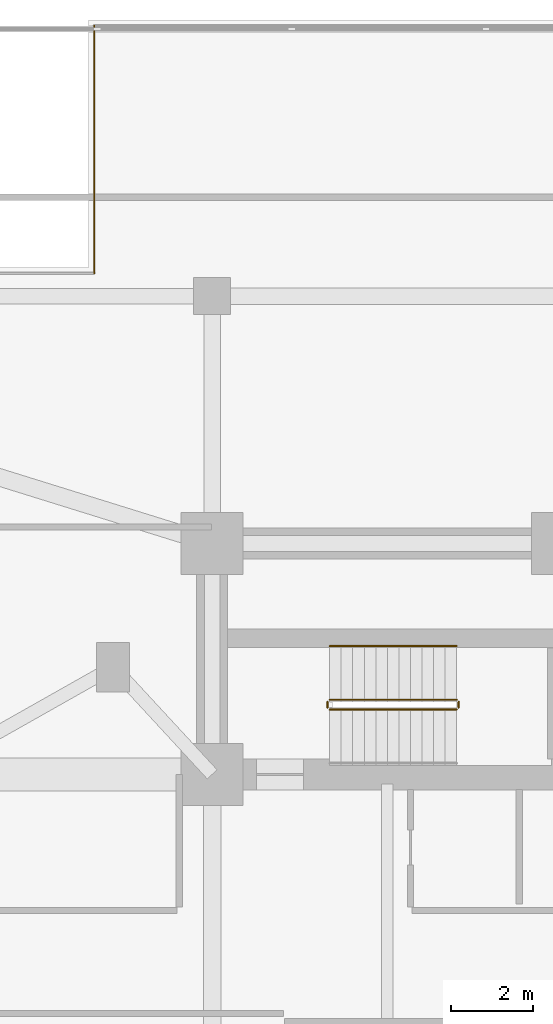
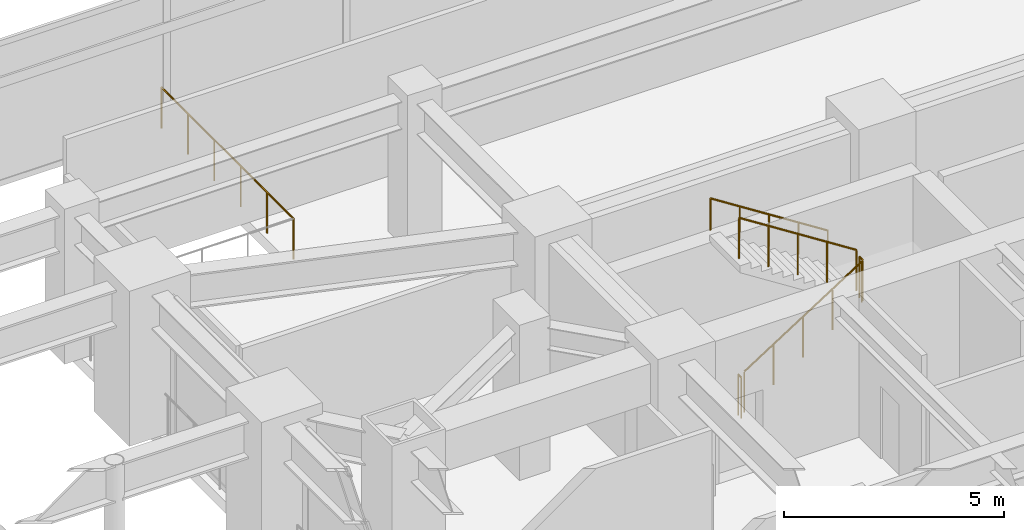
# One storey, part 29 of 30: 6 railings.
"""IFC4 building model written with IfcOpenShell, lengths in metres."""

import ifcopenshell
import ifcopenshell.guid

model = None  # the IFC model being written
_history = None  # IfcOwnerHistory: only IFC2X3 demands one
_inside = {}  # id of a spatial element -> (the spatial element, [elements in it])
_under = {}  # id of a project, library or spatial element -> (it, [spatial elements below it])
_declared = {}  # id of a project -> (the project, [libraries it declares])
_typed = {}  # id of a type object -> (the type object, [elements of that type])
_made_of = {}  # id of a material, layer set ... -> (it, [elements and type objects made of it])


def new_model(schema):
    """Start an empty IFC model of exactly this schema.

    Asked for "IFC4X3", IfcOpenShell would pick the latest addendum, in which some entities
    have other attributes; the version numbers below select the first issue.
    IFC2X3 requires an IfcOwnerHistory on every rooted entity: one is made here for all.
    """
    global model, _history
    if schema == "IFC4X3":
        model = ifcopenshell.file(schema_version=(4, 3, 0, 0))
    else:
        model = ifcopenshell.file(schema=schema)
    _inside.clear()
    _under.clear()
    _declared.clear()
    _typed.clear()
    _made_of.clear()
    _history = None
    if model.schema == "IFC2X3":
        org = make("IfcOrganization", Name="unknown")
        user = make(
            "IfcPersonAndOrganization",
            ThePerson=make("IfcPerson", FamilyName="unknown"),
            TheOrganization=org,
        )
        app = make(
            "IfcApplication",
            ApplicationDeveloper=org,
            Version="unknown",
            ApplicationFullName="unknown",
            ApplicationIdentifier="unknown",
        )
        _history = make(
            "IfcOwnerHistory",
            OwningUser=user,
            OwningApplication=app,
            ChangeAction="ADDED",
            CreationDate=0,
        )
    return model


def make(cls, **values):
    """One entity of the class cls with the attributes given. An attribute that is None is left unset."""
    return model.create_entity(
        cls, **{name: value for name, value in values.items() if value is not None}
    )


def rooted(cls, **values):
    """An entity with a GlobalId (a new one), such as an element, a storey or a relation."""
    return make(cls, GlobalId=ifcopenshell.guid.new(), OwnerHistory=_history, **values)


def si_unit(unit_type, name, prefix=None):
    """IfcSIUnit, for example si_unit("LENGTHUNIT", "METRE", prefix="MILLI")."""
    return make("IfcSIUnit", UnitType=unit_type, Prefix=prefix, Name=name)


def assignment(units):
    """IfcUnitAssignment: the units of a project."""
    return None if units is None else make("IfcUnitAssignment", Units=units)


def point(xyz):
    """IfcCartesianPoint."""
    return None if xyz is None else make("IfcCartesianPoint", Coordinates=xyz)


def direction(xyz):
    """IfcDirection."""
    return None if xyz is None else make("IfcDirection", DirectionRatios=xyz)


def frame(location, z_axis=None, x_axis=None):
    """IfcAxis2Placement3D, a coordinate frame: its origin and axes. An axis left out is left unset."""
    return make(
        "IfcAxis2Placement3D",
        Location=point(location),
        Axis=direction(z_axis),
        RefDirection=direction(x_axis),
    )


def frame_2d(location, x_axis=None):
    """IfcAxis2Placement2D, a coordinate frame in the plane: its origin and x axis."""
    return make(
        "IfcAxis2Placement2D", Location=point(location), RefDirection=direction(x_axis)
    )


def origin():
    """The frame at (0, 0, 0) with its axes left unset."""
    return frame((0.0, 0.0, 0.0))


def origin_2d():
    """The frame at (0, 0) in the plane with its x axis left unset."""
    return frame_2d((0.0, 0.0))


def place(relative_to, where):
    """IfcLocalPlacement: puts the frame where relative to a parent placement (None: the world)."""
    return make(
        "IfcLocalPlacement", PlacementRelTo=relative_to, RelativePlacement=where
    )


def context(
    kind, dimensions, precision=None, world=None, true_north=None, identifier=None
):
    """IfcGeometricRepresentationContext, for example the 3D "Model" context."""
    return make(
        "IfcGeometricRepresentationContext",
        ContextIdentifier=identifier,
        ContextType=kind,
        CoordinateSpaceDimension=dimensions,
        Precision=precision,
        WorldCoordinateSystem=world,
        TrueNorth=true_north,
    )


def subcontext(parent, identifier, kind, view, scale=None):
    """IfcGeometricRepresentationSubContext, for example "Body" below "Model"."""
    return make(
        "IfcGeometricRepresentationSubContext",
        ContextIdentifier=identifier,
        ContextType=kind,
        ParentContext=parent,
        TargetScale=scale,
        TargetView=view,
    )


def project(units=None, contexts=None):
    """IfcProject with its units and contexts."""
    return rooted(
        "IfcProject",
        Name="project",
        RepresentationContexts=contexts,
        UnitsInContext=assignment(units),
    )


def spatial(cls, under=None, at=None, **own):
    """A site, building, storey or space (cls), placed at a placement, below another one or the project."""
    s = rooted(cls, ObjectPlacement=at, **own)
    if under is not None:
        _under.setdefault(under.id(), (under, []))[1].append(s)
    return s


def profile(cls, at=None, kind="AREA", **sizes):
    """A parametric profile (cls). Its sizes go by their IFC names, for example OverallWidth=200.0."""
    return make(cls, ProfileType=kind, Position=at, **sizes)


def circle(**sizes):
    """IfcCircleProfileDef."""
    return profile("IfcCircleProfileDef", **sizes)


def extrude(swept, where, along, depth):
    """IfcExtrudedAreaSolid: the profile swept, set in the frame where, extruded along a direction by depth."""
    return make(
        "IfcExtrudedAreaSolid",
        SweptArea=swept,
        Position=where,
        ExtrudedDirection=direction(along),
        Depth=depth,
    )


def shape(context_of_items, identifier, shape_type, items):
    """IfcShapeRepresentation: the items that make up one representation, for example the "Body"."""
    return make(
        "IfcShapeRepresentation",
        ContextOfItems=context_of_items,
        RepresentationIdentifier=identifier,
        RepresentationType=shape_type,
        Items=items,
    )


def material(Name=None, Category=None):
    """IfcMaterial."""
    return make("IfcMaterial", Name=Name, Category=Category)


def made_of(thing, what):
    """Note that an element or type object is made of a material, layer set ...; save() writes the relation."""
    if what is not None:
        _made_of.setdefault(what.id(), (what, []))[1].append(thing)
    return thing


def type_object(cls, material=None, **own):
    """A type object (cls), such as IfcWallType, which elements share."""
    return made_of(rooted(cls, **own), material)


def element(
    cls,
    number,
    at=None,
    inside=None,
    cuts=None,
    type_object=None,
    material=None,
    context=None,
    identifier="Body",
    shape_type=None,
    held_by="IfcProductDefinitionShape",
    body=None,
    shapes=None,
    **own,
):
    """One element of the class cls, such as IfcWall. Its Tag is "e" and its number.

    at: its placement. inside: the storey or other place that contains it. cuts: it is an
    opening in that element (IfcRelVoidsElement). A single representation is given by context,
    identifier, shape_type and body (its items); several are given by shapes. held_by: the class
    of the entity that holds the representations. save() writes the other relations.
    """
    e = rooted(cls, Tag="e%d" % number, ObjectPlacement=at, **own)
    if body is not None:
        shapes = [shape(context, identifier, shape_type, body)]
    if shapes is not None:
        e.Representation = make(held_by, Representations=shapes)
    if inside is not None:
        _inside.setdefault(inside.id(), (inside, []))[1].append(e)
    if cuts is not None:
        rooted(
            "IfcRelVoidsElement", RelatingBuildingElement=cuts, RelatedOpeningElement=e
        )
    if type_object is not None:
        _typed.setdefault(type_object.id(), (type_object, []))[1].append(e)
    return made_of(e, material)


def aggregate(whole, parts):
    """IfcRelAggregates: a whole, such as a stair, and the parts it consists of."""
    return rooted("IfcRelAggregates", RelatingObject=whole, RelatedObjects=parts)


def save(model, path):
    """Write the relations noted so far, then the file.

    IfcRelAggregates (storeys below a building ...), IfcRelContainedInSpatialStructure (elements
    in a storey), IfcRelDefinesByType, IfcRelAssociatesMaterial and IfcRelDeclares: one each for
    every whole, place, type object, material and project.
    """
    for whole, parts in _under.values():
        aggregate(whole, parts)
    for where, things in _inside.values():
        rooted(
            "IfcRelContainedInSpatialStructure",
            RelatedElements=things,
            RelatingStructure=where,
        )
    for kind, things in _typed.values():
        rooted("IfcRelDefinesByType", RelatedObjects=things, RelatingType=kind)
    for what, things in _made_of.values():
        rooted("IfcRelAssociatesMaterial", RelatedObjects=things, RelatingMaterial=what)
    for by, libraries in _declared.values():
        rooted("IfcRelDeclares", RelatingContext=by, RelatedDefinitions=libraries)
    model.write(path)


model = new_model("IFC4")

# Units and contexts
model_context = context("Model", 3, precision=1e-05, world=origin(), true_north=direction((0.0, 1.0)))
body_context = subcontext(model_context, "Body", "Model", "MODEL_VIEW")
ifc_project = project(units=[si_unit("LENGTHUNIT", "METRE"), si_unit("AREAUNIT", "SQUARE_METRE"), si_unit("VOLUMEUNIT", "CUBIC_METRE"), si_unit("PLANEANGLEUNIT", "RADIAN"), si_unit("MASSUNIT", "GRAM", prefix="KILO")], contexts=[model_context])

# Site, building, storey
site_placement = place(None, origin())
site = spatial("IfcSite", under=ifc_project, at=site_placement, CompositionType="ELEMENT")
building_placement = place(site_placement, origin())
building = spatial("IfcBuilding", under=site, at=building_placement, Name="Mirazonda Arch Towers", CompositionType="ELEMENT")
storey_placement = place(building_placement, frame((0.0, 0.0, 9.5)))
storey = spatial("IfcBuildingStorey", under=building, at=storey_placement, Name="L02", CompositionType="ELEMENT", Elevation=9.5)

# Railings
ifc_material = material(Name="Architectural Brushed Steel S355", Category="steel")
railing_type_1 = type_object("IfcRailingType", Name="GUARD-EXT-1150", PredefinedType="GUARDRAIL", material=ifc_material)
railing_1_placement = place(storey_placement, frame((65.139892578125, 53.360107421875, 0.0)))
element("IfcRailing", 1, at=railing_1_placement, inside=storey, type_object=railing_type_1, Name="L02 L02 East Podium Perimeter Guard 08", PredefinedType="GUARDRAIL", context=body_context, shape_type="SweptSolid", body=[
    extrude(circle(Radius=0.02392578125, at=origin_2d()), frame((0.0, 0.0, 1.1259765625), z_axis=(0.0, -1.0, 0.0), x_axis=(1.0, 0.0, 0.0)), (0.0, 0.0, 1.0), 6.0),
    extrude(circle(Radius=0.02099609375, at=origin_2d()), origin(), (0.0, 0.0, 1.0), 1.101806640625),
    extrude(circle(Radius=0.02099609375, at=origin_2d()), frame((0.0, -1.199951171875, 0.0)), (0.0, 0.0, 1.0), 1.101806640625),
    extrude(circle(Radius=0.02099609375, at=origin_2d()), frame((0.0, -2.39990234375, 0.0)), (0.0, 0.0, 1.0), 1.101806640625),
    extrude(circle(Radius=0.02099609375, at=origin_2d()), frame((0.0, -3.60009765625, 0.0)), (0.0, 0.0, 1.0), 1.101806640625),
    extrude(circle(Radius=0.02099609375, at=origin_2d()), frame((0.0, -4.800048828125, 0.0)), (0.0, 0.0, 1.0), 1.101806640625),
    extrude(circle(Radius=0.02099609375, at=origin_2d()), frame((0.0, -6.0, 0.0)), (0.0, 0.0, 1.0), 1.101806640625),
])
railing_type_2 = type_object("IfcRailingType", Name="GUARD-STAIR-1120", PredefinedType="GUARDRAIL", material=ifc_material)
railing_2_placement = place(storey_placement, frame((70.85009765625, 36.77001953125, 0.17919921875)))
element("IfcRailing", 2, at=railing_2_placement, inside=storey, type_object=railing_type_2, Name="L02 ST-T2N stair guard 1", PredefinedType="GUARDRAIL", context=body_context, shape_type="SweptSolid", body=[
    extrude(circle(Radius=0.02392578125, at=origin_2d()), frame((0.0, 0.0, 1.1259765625), z_axis=(0.842319903074, 0.0, 0.538977903893), x_axis=(0.0, 1.0, 0.0)), (0.0, 0.0, 1.0), 3.65625),
    extrude(circle(Radius=0.02099609375, at=origin_2d()), origin(), (0.0, 0.0, 1.0), 1.101806640625),
    extrude(circle(Radius=0.02099609375, at=origin_2d()), frame((0.77001953125, 0.0, 0.49267578125)), (0.0, 0.0, 1.0), 1.101806640625),
    extrude(circle(Radius=0.02099609375, at=origin_2d()), frame((1.5400390625, 0.0, 0.9853515625)), (0.0, 0.0, 1.0), 1.101806640625),
    extrude(circle(Radius=0.02099609375, at=origin_2d()), frame((2.309814453125, 0.0, 1.47802734375)), (0.0, 0.0, 1.0), 1.101806640625),
    extrude(circle(Radius=0.02099609375, at=origin_2d()), frame((3.079833984375, 0.0, 1.970703125)), (0.0, 0.0, 1.0), 1.101806640625),
])
railing_3_placement = place(storey_placement, frame((73.97998046875, 36.820068359375, 2.14990234375)))
element("IfcRailing", 3, at=railing_3_placement, inside=storey, type_object=railing_type_2, Name="L02 ST-T2N stair guard 2", PredefinedType="GUARDRAIL", context=body_context, shape_type="SweptSolid", body=[
    extrude(circle(Radius=0.02392578125, at=origin_2d()), frame((0.0, 0.0, 1.1259765625), z_axis=(0.0, 1.0, 0.0), x_axis=(-1.0, 0.0, 0.0)), (0.0, 0.0, 1.0), 0.139892578125),
    extrude(circle(Radius=0.02099609375, at=origin_2d()), origin(), (0.0, 0.0, 1.0), 1.101806640625),
    extrude(circle(Radius=0.02099609375, at=origin_2d()), frame((0.0, 0.139892578125, 0.0)), (0.0, 0.0, 1.0), 1.101806640625),
])
railing_4_placement = place(storey_placement, frame((73.929931640625, 37.010009765625, 2.3291015625)))
element("IfcRailing", 4, at=railing_4_placement, inside=storey, type_object=railing_type_2, Name="L02 ST-T2N stair guard 3", PredefinedType="GUARDRAIL", context=body_context, shape_type="SweptSolid", body=[
    extrude(circle(Radius=0.02392578125, at=origin_2d()), frame((0.0, 0.0, 1.1259765625), z_axis=(-0.842289589211, 0.0, 0.539025275759), x_axis=(0.0, -1.0, 0.0)), (0.0, 0.0, 1.0), 3.656494140625),
    extrude(circle(Radius=0.02099609375, at=origin_2d()), origin(), (0.0, 0.0, 1.0), 1.101806640625),
    extrude(circle(Radius=0.02099609375, at=origin_2d()), frame((-0.77001953125, 0.0, 0.49267578125)), (0.0, 0.0, 1.0), 1.101806640625),
    extrude(circle(Radius=0.02099609375, at=origin_2d()), frame((-1.5400390625, 0.0, 0.9853515625)), (0.0, 0.0, 1.0), 1.101806640625),
    extrude(circle(Radius=0.02099609375, at=origin_2d()), frame((-2.309814453125, 0.0, 1.478271484375)), (0.0, 0.0, 1.0), 1.101806640625),
    extrude(circle(Radius=0.02099609375, at=origin_2d()), frame((-3.079833984375, 0.0, 1.970947265625)), (0.0, 0.0, 1.0), 1.101806640625),
])
railing_5_placement = place(storey_placement, frame((70.800048828125, 36.820068359375, 0.0)))
element("IfcRailing", 5, at=railing_5_placement, inside=storey, type_object=railing_type_2, Name="L02 ST-T2N stair guard 4", PredefinedType="GUARDRAIL", context=body_context, shape_type="SweptSolid", body=[
    extrude(circle(Radius=0.02392578125, at=origin_2d()), frame((0.0, 0.0, 1.1259765625), z_axis=(0.0, 1.0, 0.0), x_axis=(-1.0, 0.0, 0.0)), (0.0, 0.0, 1.0), 0.139892578125),
    extrude(circle(Radius=0.02099609375, at=origin_2d()), origin(), (0.0, 0.0, 1.0), 1.101806640625),
    extrude(circle(Radius=0.02099609375, at=origin_2d()), frame((0.0, 0.139892578125, 0.0)), (0.0, 0.0, 1.0), 1.101806640625),
])
railing_type_3 = type_object("IfcRailingType", Name="HANDRAIL-915", PredefinedType="HANDRAIL", material=ifc_material)
railing_6_placement = place(storey_placement, frame((73.929931640625, 38.31005859375, 2.3291015625)))
element("IfcRailing", 6, at=railing_6_placement, inside=storey, type_object=railing_type_3, Name="L02 ST-T2N stair handrail 2", PredefinedType="HANDRAIL", context=body_context, shape_type="SweptSolid", body=[
    extrude(circle(Radius=0.02392578125, at=origin_2d()), frame((0.0, 0.0, 0.8759765625), z_axis=(-0.842289589211, 0.0, 0.539025275759), x_axis=(0.0, -1.0, 0.0)), (0.0, 0.0, 1.0), 3.656494140625),
    extrude(circle(Radius=0.02099609375, at=origin_2d()), origin(), (0.0, 0.0, 1.0), 0.851806640625),
    extrude(circle(Radius=0.02099609375, at=origin_2d()), frame((-0.77001953125, 0.0, 0.49267578125)), (0.0, 0.0, 1.0), 0.851806640625),
    extrude(circle(Radius=0.02099609375, at=origin_2d()), frame((-1.5400390625, 0.0, 0.9853515625)), (0.0, 0.0, 1.0), 0.851806640625),
    extrude(circle(Radius=0.02099609375, at=origin_2d()), frame((-2.309814453125, 0.0, 1.478271484375)), (0.0, 0.0, 1.0), 0.851806640625),
    extrude(circle(Radius=0.02099609375, at=origin_2d()), frame((-3.079833984375, 0.0, 1.970947265625)), (0.0, 0.0, 1.0), 0.851806640625),
])

save(model, "model.ifc")
